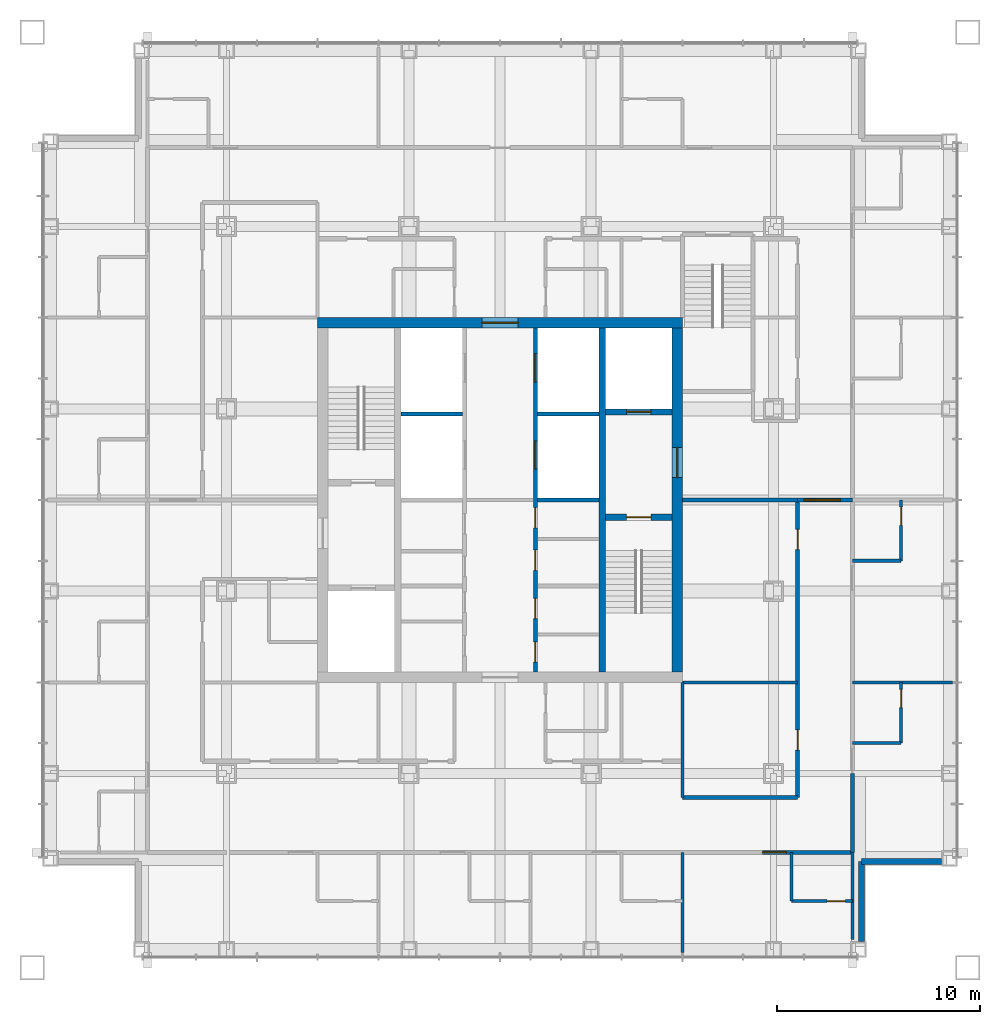
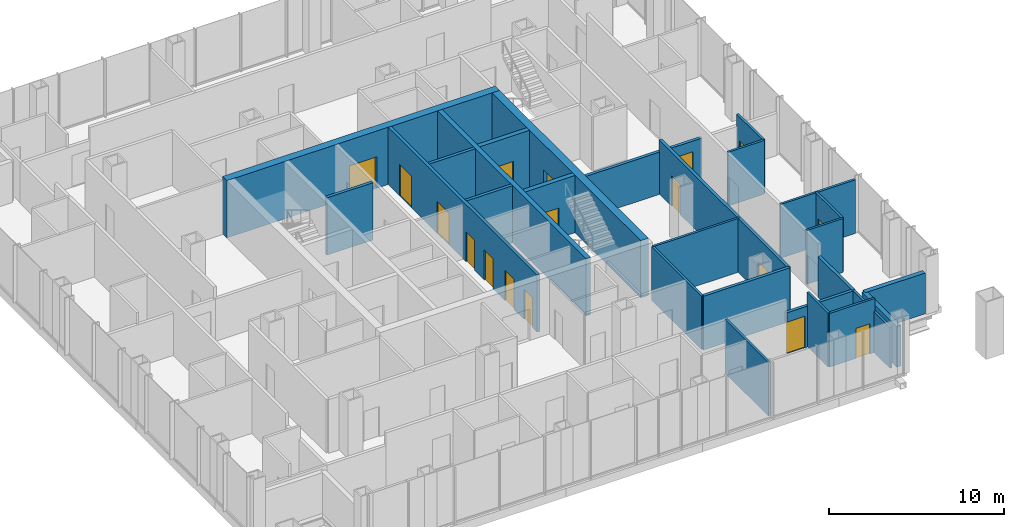
# One storey, part 8 of 11: 28 walls, 17 doors, 17 openings.
"""IFC4 building model written with IfcOpenShell, lengths in metres."""

import ifcopenshell
import ifcopenshell.guid

model = None  # the IFC model being written
_history = None  # IfcOwnerHistory: only IFC2X3 demands one
_inside = {}  # id of a spatial element -> (the spatial element, [elements in it])
_under = {}  # id of a project, library or spatial element -> (it, [spatial elements below it])
_declared = {}  # id of a project -> (the project, [libraries it declares])
_typed = {}  # id of a type object -> (the type object, [elements of that type])
_made_of = {}  # id of a material, layer set ... -> (it, [elements and type objects made of it])


def new_model(schema):
    """Start an empty IFC model of exactly this schema.

    Asked for "IFC4X3", IfcOpenShell would pick the latest addendum, in which some entities
    have other attributes; the version numbers below select the first issue.
    IFC2X3 requires an IfcOwnerHistory on every rooted entity: one is made here for all.
    """
    global model, _history
    if schema == "IFC4X3":
        model = ifcopenshell.file(schema_version=(4, 3, 0, 0))
    else:
        model = ifcopenshell.file(schema=schema)
    _inside.clear()
    _under.clear()
    _declared.clear()
    _typed.clear()
    _made_of.clear()
    _history = None
    if model.schema == "IFC2X3":
        org = make("IfcOrganization", Name="unknown")
        user = make(
            "IfcPersonAndOrganization",
            ThePerson=make("IfcPerson", FamilyName="unknown"),
            TheOrganization=org,
        )
        app = make(
            "IfcApplication",
            ApplicationDeveloper=org,
            Version="unknown",
            ApplicationFullName="unknown",
            ApplicationIdentifier="unknown",
        )
        _history = make(
            "IfcOwnerHistory",
            OwningUser=user,
            OwningApplication=app,
            ChangeAction="ADDED",
            CreationDate=0,
        )
    return model


def make(cls, **values):
    """One entity of the class cls with the attributes given. An attribute that is None is left unset."""
    return model.create_entity(
        cls, **{name: value for name, value in values.items() if value is not None}
    )


def rooted(cls, **values):
    """An entity with a GlobalId (a new one), such as an element, a storey or a relation."""
    return make(cls, GlobalId=ifcopenshell.guid.new(), OwnerHistory=_history, **values)


def si_unit(unit_type, name, prefix=None):
    """IfcSIUnit, for example si_unit("LENGTHUNIT", "METRE", prefix="MILLI")."""
    return make("IfcSIUnit", UnitType=unit_type, Prefix=prefix, Name=name)


def assignment(units):
    """IfcUnitAssignment: the units of a project."""
    return None if units is None else make("IfcUnitAssignment", Units=units)


def point(xyz):
    """IfcCartesianPoint."""
    return None if xyz is None else make("IfcCartesianPoint", Coordinates=xyz)


def direction(xyz):
    """IfcDirection."""
    return None if xyz is None else make("IfcDirection", DirectionRatios=xyz)


def frame(location, z_axis=None, x_axis=None):
    """IfcAxis2Placement3D, a coordinate frame: its origin and axes. An axis left out is left unset."""
    return make(
        "IfcAxis2Placement3D",
        Location=point(location),
        Axis=direction(z_axis),
        RefDirection=direction(x_axis),
    )


def frame_2d(location, x_axis=None):
    """IfcAxis2Placement2D, a coordinate frame in the plane: its origin and x axis."""
    return make(
        "IfcAxis2Placement2D", Location=point(location), RefDirection=direction(x_axis)
    )


def origin():
    """The frame at (0, 0, 0) with its axes left unset."""
    return frame((0.0, 0.0, 0.0))


def place(relative_to, where):
    """IfcLocalPlacement: puts the frame where relative to a parent placement (None: the world)."""
    return make(
        "IfcLocalPlacement", PlacementRelTo=relative_to, RelativePlacement=where
    )


def context(
    kind, dimensions, precision=None, world=None, true_north=None, identifier=None
):
    """IfcGeometricRepresentationContext, for example the 3D "Model" context."""
    return make(
        "IfcGeometricRepresentationContext",
        ContextIdentifier=identifier,
        ContextType=kind,
        CoordinateSpaceDimension=dimensions,
        Precision=precision,
        WorldCoordinateSystem=world,
        TrueNorth=true_north,
    )


def subcontext(parent, identifier, kind, view, scale=None):
    """IfcGeometricRepresentationSubContext, for example "Body" below "Model"."""
    return make(
        "IfcGeometricRepresentationSubContext",
        ContextIdentifier=identifier,
        ContextType=kind,
        ParentContext=parent,
        TargetScale=scale,
        TargetView=view,
    )


def project(units=None, contexts=None):
    """IfcProject with its units and contexts."""
    return rooted(
        "IfcProject",
        Name="project",
        RepresentationContexts=contexts,
        UnitsInContext=assignment(units),
    )


def spatial(cls, under=None, at=None, **own):
    """A site, building, storey or space (cls), placed at a placement, below another one or the project."""
    s = rooted(cls, ObjectPlacement=at, **own)
    if under is not None:
        _under.setdefault(under.id(), (under, []))[1].append(s)
    return s


def profile(cls, at=None, kind="AREA", **sizes):
    """A parametric profile (cls). Its sizes go by their IFC names, for example OverallWidth=200.0."""
    return make(cls, ProfileType=kind, Position=at, **sizes)


def rectangle(**sizes):
    """IfcRectangleProfileDef."""
    return profile("IfcRectangleProfileDef", **sizes)


def extrude(swept, where, along, depth):
    """IfcExtrudedAreaSolid: the profile swept, set in the frame where, extruded along a direction by depth."""
    return make(
        "IfcExtrudedAreaSolid",
        SweptArea=swept,
        Position=where,
        ExtrudedDirection=direction(along),
        Depth=depth,
    )


def shape(context_of_items, identifier, shape_type, items):
    """IfcShapeRepresentation: the items that make up one representation, for example the "Body"."""
    return make(
        "IfcShapeRepresentation",
        ContextOfItems=context_of_items,
        RepresentationIdentifier=identifier,
        RepresentationType=shape_type,
        Items=items,
    )


def material(Name=None, Category=None):
    """IfcMaterial."""
    return make("IfcMaterial", Name=Name, Category=Category)


def layer(
    of_material, thickness, ventilated=None, Name=None, Category=None, Priority=None
):
    """IfcMaterialLayer: one layer of a wall or slab, of a material (None: an air gap)."""
    return make(
        "IfcMaterialLayer",
        Material=of_material,
        LayerThickness=thickness,
        IsVentilated=ventilated,
        Name=Name,
        Category=Category,
        Priority=Priority,
    )


def layer_set(layers, Name=None):
    """IfcMaterialLayerSet."""
    return make("IfcMaterialLayerSet", MaterialLayers=layers, LayerSetName=Name)


def made_of(thing, what):
    """Note that an element or type object is made of a material, layer set ...; save() writes the relation."""
    if what is not None:
        _made_of.setdefault(what.id(), (what, []))[1].append(thing)
    return thing


def type_object(cls, material=None, **own):
    """A type object (cls), such as IfcWallType, which elements share."""
    return made_of(rooted(cls, **own), material)


def element(
    cls,
    number,
    at=None,
    inside=None,
    cuts=None,
    type_object=None,
    material=None,
    context=None,
    identifier="Body",
    shape_type=None,
    held_by="IfcProductDefinitionShape",
    body=None,
    shapes=None,
    **own,
):
    """One element of the class cls, such as IfcWall. Its Tag is "e" and its number.

    at: its placement. inside: the storey or other place that contains it. cuts: it is an
    opening in that element (IfcRelVoidsElement). A single representation is given by context,
    identifier, shape_type and body (its items); several are given by shapes. held_by: the class
    of the entity that holds the representations. save() writes the other relations.
    """
    e = rooted(cls, Tag="e%d" % number, ObjectPlacement=at, **own)
    if body is not None:
        shapes = [shape(context, identifier, shape_type, body)]
    if shapes is not None:
        e.Representation = make(held_by, Representations=shapes)
    if inside is not None:
        _inside.setdefault(inside.id(), (inside, []))[1].append(e)
    if cuts is not None:
        rooted(
            "IfcRelVoidsElement", RelatingBuildingElement=cuts, RelatedOpeningElement=e
        )
    if type_object is not None:
        _typed.setdefault(type_object.id(), (type_object, []))[1].append(e)
    return made_of(e, material)


def fill(opening, filler):
    """IfcRelFillsElement: the door or window that sits in an opening."""
    return rooted(
        "IfcRelFillsElement",
        RelatingOpeningElement=opening,
        RelatedBuildingElement=filler,
    )


def aggregate(whole, parts):
    """IfcRelAggregates: a whole, such as a stair, and the parts it consists of."""
    return rooted("IfcRelAggregates", RelatingObject=whole, RelatedObjects=parts)


def save(model, path):
    """Write the relations noted so far, then the file.

    IfcRelAggregates (storeys below a building ...), IfcRelContainedInSpatialStructure (elements
    in a storey), IfcRelDefinesByType, IfcRelAssociatesMaterial and IfcRelDeclares: one each for
    every whole, place, type object, material and project.
    """
    for whole, parts in _under.values():
        aggregate(whole, parts)
    for where, things in _inside.values():
        rooted(
            "IfcRelContainedInSpatialStructure",
            RelatedElements=things,
            RelatingStructure=where,
        )
    for kind, things in _typed.values():
        rooted("IfcRelDefinesByType", RelatedObjects=things, RelatingType=kind)
    for what, things in _made_of.values():
        rooted("IfcRelAssociatesMaterial", RelatedObjects=things, RelatingMaterial=what)
    for by, libraries in _declared.values():
        rooted("IfcRelDeclares", RelatingContext=by, RelatedDefinitions=libraries)
    model.write(path)


model = new_model("IFC4")

# Units and contexts
model_context = context("Model", 3, precision=1e-05, world=origin(), true_north=direction((0.0, 1.0)))
body_context = subcontext(model_context, "Body", "Model", "MODEL_VIEW")
ifc_project = project(units=[si_unit("LENGTHUNIT", "METRE"), si_unit("AREAUNIT", "SQUARE_METRE"), si_unit("VOLUMEUNIT", "CUBIC_METRE"), si_unit("PLANEANGLEUNIT", "RADIAN"), si_unit("MASSUNIT", "GRAM", prefix="KILO")], contexts=[model_context])

# Site, building, storey
site_placement = place(None, origin())
site = spatial("IfcSite", under=ifc_project, at=site_placement, CompositionType="ELEMENT")
building_placement = place(site_placement, origin())
building = spatial("IfcBuilding", under=site, at=building_placement, Name="Malebo Sky Hospital", CompositionType="ELEMENT")
storey_placement = place(building_placement, frame((0.0, 0.0, 205.0)))
storey = spatial("IfcBuildingStorey", under=building, at=storey_placement, Name="L49", CompositionType="ELEMENT", Elevation=205.0)

# Wall, openings, doors
ifc_material_1 = material(Name="Concrete C80/95", Category="concrete")
ifc_layer_1 = layer(ifc_material_1, 0.199951171875)
ifc_layer_set_1 = layer_set([ifc_layer_1], Name="CORE INNER WALL 200")
wall_type_1 = type_object("IfcWallType", Name="CORE INNER WALL 200", PredefinedType="SHEAR", material=ifc_layer_set_1)
wall_1_placement = place(storey_placement, frame((61.75, 53.5, 0.0), z_axis=(0.0, 0.0, 1.0), x_axis=(0.0, 1.0, 0.0)))
wall_1 = element("IfcWall", 1, at=wall_1_placement, inside=storey, type_object=wall_type_1, Name="Core wall LE L49", PredefinedType="SHEAR", context=body_context, shape_type="SweptSolid", body=[
    extrude(rectangle(XDim=17.0, YDim=0.199951171875, at=frame_2d((8.5, 0.0))), origin(), (0.0, 0.0, 1.0), 4.0),
])
opening_1_placement = place(wall_1_placement, frame((0.49609375, 0.0, 0.0)))
opening_1 = element("IfcOpeningElement", 2, at=opening_1_placement, cuts=wall_1, Name="Opening D17", PredefinedType="OPENING", context=body_context, shape_type="SweptSolid", body=[
    extrude(rectangle(XDim=1.0, YDim=2.10009765625, at=frame_2d((0.5, 1.050048828125))), frame((0.0, 0.10986328125, 0.0), z_axis=(0.0, -1.0, 0.0), x_axis=(1.0, 0.0, 0.0)), (0.0, 0.0, 1.0), 0.219970703125),
])
opening_2_placement = place(wall_1_placement, frame((2.64599609375, 0.0, 0.0)))
opening_2 = element("IfcOpeningElement", 3, at=opening_2_placement, cuts=wall_1, Name="Opening D17", PredefinedType="OPENING", context=body_context, shape_type="SweptSolid", body=[
    extrude(rectangle(XDim=1.0, YDim=2.10009765625, at=frame_2d((0.5, 1.050048828125))), frame((0.0, 0.10986328125, 0.0), z_axis=(0.0, -1.0, 0.0), x_axis=(1.0, 0.0, 0.0)), (0.0, 0.0, 1.0), 0.219970703125),
])
opening_3_placement = place(wall_1_placement, frame((5.026611328125, 0.0, 0.0)))
opening_3 = element("IfcOpeningElement", 4, at=opening_3_placement, cuts=wall_1, Name="Opening D17", PredefinedType="OPENING", context=body_context, shape_type="SweptSolid", body=[
    extrude(rectangle(XDim=1.0, YDim=2.10009765625, at=frame_2d((0.5, 1.050048828125))), frame((0.0, 0.10986328125, 0.0), z_axis=(0.0, -1.0, 0.0), x_axis=(1.0, 0.0, 0.0)), (0.0, 0.0, 1.0), 0.219970703125),
])
opening_4_placement = place(wall_1_placement, frame((7.12646484375, 0.0, 0.0)))
opening_4 = element("IfcOpeningElement", 5, at=opening_4_placement, cuts=wall_1, Name="Opening D17", PredefinedType="OPENING", context=body_context, shape_type="SweptSolid", body=[
    extrude(rectangle(XDim=1.0, YDim=2.10009765625, at=frame_2d((0.5, 1.050048828125))), frame((0.0, 0.10986328125, 0.0), z_axis=(0.0, -1.0, 0.0), x_axis=(1.0, 0.0, 0.0)), (0.0, 0.0, 1.0), 0.219970703125),
])
opening_5_placement = place(wall_1_placement, frame((10.02490234375, 0.0, 0.0)))
opening_5 = element("IfcOpeningElement", 6, at=opening_5_placement, cuts=wall_1, Name="Opening LD1", PredefinedType="OPENING", context=body_context, shape_type="SweptSolid", body=[
    extrude(rectangle(XDim=1.39990234375, YDim=2.199951171875, at=frame_2d((0.699951171875, 1.10009765625))), frame((0.0, 0.10986328125, 0.0), z_axis=(0.0, -1.0, 0.0), x_axis=(1.0, 0.0, 0.0)), (0.0, 0.0, 1.0), 0.219970703125),
])
opening_6_placement = place(wall_1_placement, frame((14.324951171875, 0.0, 0.0)))
opening_6 = element("IfcOpeningElement", 7, at=opening_6_placement, cuts=wall_1, Name="Opening LD1", PredefinedType="OPENING", context=body_context, shape_type="SweptSolid", body=[
    extrude(rectangle(XDim=1.39990234375, YDim=2.199951171875, at=frame_2d((0.699951171875, 1.10009765625))), frame((0.0, 0.10986328125, 0.0), z_axis=(0.0, -1.0, 0.0), x_axis=(1.0, 0.0, 0.0)), (0.0, 0.0, 1.0), 0.219970703125),
])
ifc_material_2 = material(Name="Hardwood-faced door leaf in steel frame", Category="steel")
door_type_1 = type_object("IfcDoorType", Name="FIRE DOOR 1000", OperationType="SINGLE_SWING_LEFT", PredefinedType="DOOR", material=ifc_material_2)
door_1_placement = place(opening_1_placement, origin())
door_1 = element("IfcDoor", 8, at=door_1_placement, inside=storey, type_object=door_type_1, Name="Mattress store door", OperationType="SINGLE_SWING_RIGHT", OverallHeight=2.10009765625, OverallWidth=1.0, PredefinedType="DOOR", context=body_context, shape_type="SweptSolid", body=[
    extrude(rectangle(XDim=1.0, YDim=2.10009765625, at=frame_2d((0.5, 1.050048828125))), frame((0.0, 0.02490234375, 0.0), z_axis=(0.0, -1.0, 0.0), x_axis=(1.0, 0.0, 0.0)), (0.0, 0.0, 1.0), 0.050048828125),
])
fill(opening_1, door_1)
door_2_placement = place(opening_2_placement, origin())
door_2 = element("IfcDoor", 9, at=door_2_placement, inside=storey, type_object=door_type_1, Name="Cleaning equipment store door", OperationType="SINGLE_SWING_RIGHT", OverallHeight=2.10009765625, OverallWidth=1.0, PredefinedType="DOOR", context=body_context, shape_type="SweptSolid", body=[
    extrude(rectangle(XDim=1.0, YDim=2.10009765625, at=frame_2d((0.5, 1.050048828125))), frame((0.0, 0.02490234375, 0.0), z_axis=(0.0, -1.0, 0.0), x_axis=(1.0, 0.0, 0.0)), (0.0, 0.0, 1.0), 0.050048828125),
])
fill(opening_2, door_2)
door_3_placement = place(opening_3_placement, origin())
door_3 = element("IfcDoor", 10, at=door_3_placement, inside=storey, type_object=door_type_1, Name="Archive store door", OperationType="SINGLE_SWING_RIGHT", OverallHeight=2.10009765625, OverallWidth=1.0, PredefinedType="DOOR", context=body_context, shape_type="SweptSolid", body=[
    extrude(rectangle(XDim=1.0, YDim=2.10009765625, at=frame_2d((0.5, 1.050048828125))), frame((0.0, 0.02490234375, 0.0), z_axis=(0.0, -1.0, 0.0), x_axis=(1.0, 0.0, 0.0)), (0.0, 0.0, 1.0), 0.050048828125),
])
fill(opening_3, door_3)
door_4_placement = place(opening_4_placement, origin())
door_4 = element("IfcDoor", 11, at=door_4_placement, inside=storey, type_object=door_type_1, Name="General store door", OperationType="SINGLE_SWING_RIGHT", OverallHeight=2.10009765625, OverallWidth=1.0, PredefinedType="DOOR", context=body_context, shape_type="SweptSolid", body=[
    extrude(rectangle(XDim=1.0, YDim=2.10009765625, at=frame_2d((0.5, 1.050048828125))), frame((0.0, 0.02490234375, 0.0), z_axis=(0.0, -1.0, 0.0), x_axis=(1.0, 0.0, 0.0)), (0.0, 0.0, 1.0), 0.050048828125),
])
fill(opening_4, door_4)
ifc_material_3 = material(Name="Stainless steel sliding landing door", Category="steel")
door_type_2 = type_object("IfcDoorType", Name="LIFT LANDING DOOR 1400", OperationType="SLIDING_TO_LEFT", PredefinedType="DOOR", material=ifc_material_3)
door_5_placement = place(opening_5_placement, origin())
door_5 = element("IfcDoor", 12, at=door_5_placement, inside=storey, type_object=door_type_2, Name="Lift E3 landing door", OperationType="SLIDING_TO_LEFT", OverallHeight=2.199951171875, OverallWidth=1.39990234375, PredefinedType="DOOR", context=body_context, shape_type="SweptSolid", body=[
    extrude(rectangle(XDim=1.39990234375, YDim=2.199951171875, at=frame_2d((0.699951171875, 1.10009765625))), frame((0.0, 0.02490234375, 0.0), z_axis=(0.0, -1.0, 0.0), x_axis=(1.0, 0.0, 0.0)), (0.0, 0.0, 1.0), 0.050048828125),
])
fill(opening_5, door_5)
door_6_placement = place(opening_6_placement, origin())
door_6 = element("IfcDoor", 13, at=door_6_placement, inside=storey, type_object=door_type_2, Name="Lift E4 landing door", OperationType="SLIDING_TO_LEFT", OverallHeight=2.199951171875, OverallWidth=1.39990234375, PredefinedType="DOOR", context=body_context, shape_type="SweptSolid", body=[
    extrude(rectangle(XDim=1.39990234375, YDim=2.199951171875, at=frame_2d((0.699951171875, 1.10009765625))), frame((0.0, 0.02490234375, 0.0), z_axis=(0.0, -1.0, 0.0), x_axis=(1.0, 0.0, 0.0)), (0.0, 0.0, 1.0), 0.050048828125),
])
fill(opening_6, door_6)

# Walls
for number, where, z_axis, x_axis, name in (
    (14, (61.85009765625, 62.0, 0.0), (0.0, 0.0, 1.0), (1.0, 0.0, 0.0), "Core wall SE1 L49"),
    (15, (55.10009765625, 66.25, 0.0), (0.0, 0.0, 1.0), (1.0, 0.0, 0.0), "Core wall SW2 L49"),
    (16, (61.85009765625, 66.25, 0.0), (0.0, 0.0, 1.0), (1.0, 0.0, 0.0), "Core wall SE2 L49"),
):
    element("IfcWall", number, at=place(storey_placement, frame(where, z_axis=z_axis, x_axis=x_axis)), inside=storey, type_object=wall_type_1, Name=name, PredefinedType="SHEAR", context=body_context, shape_type="SweptSolid", body=[
        extrude(rectangle(XDim=3.0498046875, YDim=0.199951171875, at=frame_2d((1.52490234375, 0.0))), origin(), (0.0, 0.0, 1.0), 4.0),
    ])
ifc_layer_2 = layer(ifc_material_1, 0.300048828125)
ifc_layer_set_2 = layer_set([ifc_layer_2], Name="CORE INNER WALL 300")
wall_type_2 = type_object("IfcWallType", Name="CORE INNER WALL 300", PredefinedType="SHEAR", material=ifc_layer_set_2)
wall_2_placement = place(storey_placement, frame((65.050048828125, 53.5, 0.0), z_axis=(0.0, 0.0, 1.0), x_axis=(0.0, 1.0, 0.0)))
element("IfcWall", 17, at=wall_2_placement, inside=storey, type_object=wall_type_2, Name="Core wall XE L49", PredefinedType="SHEAR", context=body_context, shape_type="SweptSolid", body=[
    extrude(rectangle(XDim=17.0, YDim=0.300048828125, at=frame_2d((8.5, 0.0))), origin(), (0.0, 0.0, 1.0), 4.0),
])

# Wall, opening, door
wall_3_placement = place(storey_placement, frame((65.199951171875, 61.14990234375, 0.0), z_axis=(0.0, 0.0, 1.0), x_axis=(1.0, 0.0, 0.0)))
wall_3 = element("IfcWall", 18, at=wall_3_placement, inside=storey, type_object=wall_type_2, Name="Core wall E1 L49", PredefinedType="SHEAR", context=body_context, shape_type="SweptSolid", body=[
    extrude(rectangle(XDim=3.300048828125, YDim=0.300048828125, at=frame_2d((1.64990234375, 0.0))), origin(), (0.0, 0.0, 1.0), 4.0),
])
opening_7_placement = place(wall_3_placement, frame((1.050048828125, 0.0, 0.0)))
opening_7 = element("IfcOpeningElement", 19, at=opening_7_placement, cuts=wall_3, Name="Opening D08", PredefinedType="OPENING", context=body_context, shape_type="SweptSolid", body=[
    extrude(rectangle(XDim=1.199951171875, YDim=2.10009765625, at=frame_2d((0.60009765625, 1.050048828125))), frame((0.0, 0.159912109375, 0.0), z_axis=(0.0, -1.0, 0.0), x_axis=(1.0, 0.0, 0.0)), (0.0, 0.0, 1.0), 0.320068359375),
])
door_type_3 = type_object("IfcDoorType", Name="STAIR DOOR 1200", OperationType="SINGLE_SWING_LEFT", PredefinedType="DOOR", material=ifc_material_2)
door_7_placement = place(opening_7_placement, origin())
door_7 = element("IfcDoor", 20, at=door_7_placement, inside=storey, type_object=door_type_3, Name="Stair S2 door", OperationType="SINGLE_SWING_LEFT", OverallHeight=2.10009765625, OverallWidth=1.199951171875, PredefinedType="DOOR", context=body_context, shape_type="SweptSolid", body=[
    extrude(rectangle(XDim=1.199951171875, YDim=2.10009765625, at=frame_2d((0.60009765625, 1.050048828125))), frame((0.0, 0.02490234375, 0.0), z_axis=(0.0, -1.0, 0.0), x_axis=(1.0, 0.0, 0.0)), (0.0, 0.0, 1.0), 0.050048828125),
])
fill(opening_7, door_7)

wall_4_placement = place(storey_placement, frame((65.199951171875, 66.35009765625, 0.0), z_axis=(0.0, 0.0, 1.0), x_axis=(1.0, 0.0, 0.0)))
wall_4 = element("IfcWall", 21, at=wall_4_placement, inside=storey, type_object=wall_type_2, Name="Core wall E2 L49", PredefinedType="SHEAR", context=body_context, shape_type="SweptSolid", body=[
    extrude(rectangle(XDim=3.300048828125, YDim=0.300048828125, at=frame_2d((1.64990234375, 0.0))), origin(), (0.0, 0.0, 1.0), 4.0),
])
opening_8_placement = place(wall_4_placement, frame((1.050048828125, 0.0, 0.0)))
opening_8 = element("IfcOpeningElement", 22, at=opening_8_placement, cuts=wall_4, Name="Opening LD2", PredefinedType="OPENING", context=body_context, shape_type="SweptSolid", body=[
    extrude(rectangle(XDim=1.199951171875, YDim=2.199951171875, at=frame_2d((0.60009765625, 1.10009765625))), frame((0.0, 0.159912109375, 0.0), z_axis=(0.0, -1.0, 0.0), x_axis=(1.0, 0.0, 0.0)), (0.0, 0.0, 1.0), 0.320068359375),
])
door_type_4 = type_object("IfcDoorType", Name="FIRE-FIGHTING LIFT LANDING DOOR 1200", OperationType="SLIDING_TO_LEFT", PredefinedType="DOOR", material=ifc_material_3)
door_8_placement = place(opening_8_placement, origin())
door_8 = element("IfcDoor", 23, at=door_8_placement, inside=storey, type_object=door_type_4, Name="Lift FL2 landing door", OperationType="SLIDING_TO_LEFT", OverallHeight=2.199951171875, OverallWidth=1.199951171875, PredefinedType="DOOR", context=body_context, shape_type="SweptSolid", body=[
    extrude(rectangle(XDim=1.199951171875, YDim=2.199951171875, at=frame_2d((0.60009765625, 1.10009765625))), frame((0.0, 0.02490234375, 0.0), z_axis=(0.0, -1.0, 0.0), x_axis=(1.0, 0.0, 0.0)), (0.0, 0.0, 1.0), 0.050048828125),
])
fill(opening_8, door_8)

ifc_layer_3 = layer(ifc_material_1, 0.5)
ifc_layer_set_3 = layer_set([ifc_layer_3], Name="CORE WALL 500")
wall_type_3 = type_object("IfcWallType", Name="CORE WALL 500", PredefinedType="SHEAR", material=ifc_layer_set_3)
wall_5_placement = place(storey_placement, frame((51.0, 70.75, 0.0), z_axis=(0.0, 0.0, 1.0), x_axis=(1.0, 0.0, 0.0)))
wall_5 = element("IfcWall", 24, at=wall_5_placement, inside=storey, type_object=wall_type_3, Name="Core wall N L49", PredefinedType="SHEAR", context=body_context, shape_type="SweptSolid", body=[
    extrude(rectangle(XDim=18.0, YDim=0.5, at=frame_2d((9.0, 0.0))), origin(), (0.0, 0.0, 1.0), 4.0),
])
opening_9_placement = place(wall_5_placement, frame((8.10009765625, 0.0, 0.0)))
opening_9 = element("IfcOpeningElement", 25, at=opening_9_placement, cuts=wall_5, Name="Opening D06", PredefinedType="OPENING", context=body_context, shape_type="SweptSolid", body=[
    extrude(rectangle(XDim=1.800048828125, YDim=2.199951171875, at=frame_2d((0.89990234375, 1.10009765625))), frame((0.0, 0.260009765625, 0.0), z_axis=(0.0, -1.0, 0.0), x_axis=(1.0, 0.0, 0.0)), (0.0, 0.0, 1.0), 0.52001953125),
])
door_type_5 = type_object("IfcDoorType", Name="LOBBY DOOR PAIR 1800", OperationType="DOUBLE_DOOR_SINGLE_SWING", PredefinedType="DOOR", material=ifc_material_2)
door_9_placement = place(opening_9_placement, origin())
door_9 = element("IfcDoor", 26, at=door_9_placement, inside=storey, type_object=door_type_5, Name="Lift lobby door north", OperationType="DOUBLE_DOOR_SINGLE_SWING", OverallHeight=2.199951171875, OverallWidth=1.800048828125, PredefinedType="DOOR", context=body_context, shape_type="SweptSolid", body=[
    extrude(rectangle(XDim=1.800048828125, YDim=2.199951171875, at=frame_2d((0.89990234375, 1.10009765625))), frame((0.0, 0.02490234375, 0.0), z_axis=(0.0, -1.0, 0.0), x_axis=(1.0, 0.0, 0.0)), (0.0, 0.0, 1.0), 0.050048828125),
])
fill(opening_9, door_9)

wall_6_placement = place(storey_placement, frame((68.75, 53.5, 0.0), z_axis=(0.0, 0.0, 1.0), x_axis=(0.0, 1.0, 0.0)))
wall_6 = element("IfcWall", 27, at=wall_6_placement, inside=storey, type_object=wall_type_3, Name="Core wall E L49", PredefinedType="SHEAR", context=body_context, shape_type="SweptSolid", body=[
    extrude(rectangle(XDim=17.0, YDim=0.5, at=frame_2d((8.5, 0.0))), origin(), (0.0, 0.0, 1.0), 4.0),
])
opening_10_placement = place(wall_6_placement, frame((9.60009765625, 0.0, 0.0)))
opening_10 = element("IfcOpeningElement", 28, at=opening_10_placement, cuts=wall_6, Name="Opening D07", PredefinedType="OPENING", context=body_context, shape_type="SweptSolid", body=[
    extrude(rectangle(XDim=1.5, YDim=2.199951171875, at=frame_2d((0.75, 1.10009765625))), frame((0.0, 0.260009765625, 0.0), z_axis=(0.0, -1.0, 0.0), x_axis=(1.0, 0.0, 0.0)), (0.0, 0.0, 1.0), 0.52001953125),
])
door_type_6 = type_object("IfcDoorType", Name="FIRE-FIGHTING LOBBY DOOR PAIR 1500", OperationType="DOUBLE_DOOR_SINGLE_SWING", PredefinedType="DOOR", material=ifc_material_2)
door_10_placement = place(opening_10_placement, origin())
door_10 = element("IfcDoor", 29, at=door_10_placement, inside=storey, type_object=door_type_6, Name="Fire-fighting lobby door east", OperationType="DOUBLE_DOOR_SINGLE_SWING", OverallHeight=2.199951171875, OverallWidth=1.5, PredefinedType="DOOR", context=body_context, shape_type="SweptSolid", body=[
    extrude(rectangle(XDim=1.5, YDim=2.199951171875, at=frame_2d((0.75, 1.10009765625))), frame((0.0, 0.02490234375, 0.0), z_axis=(0.0, -1.0, 0.0), x_axis=(1.0, 0.0, 0.0)), (0.0, 0.0, 1.0), 0.050048828125),
])
fill(opening_10, door_10)

ifc_material_4 = material(Name="Gypsum board on steel studs", Category="steel")
ifc_layer_4 = layer(ifc_material_4, 0.199951171875)
ifc_layer_set_4 = layer_set([ifc_layer_4], Name="CORRIDOR WALL 200")
wall_type_4 = type_object("IfcWallType", Name="CORRIDOR WALL 200", PredefinedType="PARTITIONING", material=ifc_layer_set_4)
wall_7_placement = place(storey_placement, frame((77.39990234375, 44.60009765625, 0.0), z_axis=(0.0, 0.0, 1.0), x_axis=(-1.0, 0.0, 0.0)))
wall_7 = element("IfcWall", 30, at=wall_7_placement, inside=storey, type_object=wall_type_4, Name="Corridor Wall 200 SCO", PredefinedType="PARTITIONING", context=body_context, shape_type="SweptSolid", body=[
    extrude(rectangle(XDim=4.449951171875, YDim=0.199951171875, at=frame_2d((2.22509765625, 0.0))), origin(), (0.0, 0.0, 1.0), 2.85009765625),
])
opening_11_placement = place(wall_7_placement, frame((3.25, 0.0, 0.0)))
opening_11 = element("IfcOpeningElement", 31, at=opening_11_placement, cuts=wall_7, Name="Opening D01", PredefinedType="OPENING", context=body_context, shape_type="SweptSolid", body=[
    extrude(rectangle(XDim=1.199951171875, YDim=2.199951171875, at=frame_2d((0.60009765625, 1.10009765625))), frame((0.0, 0.10986328125, 0.0), z_axis=(0.0, -1.0, 0.0), x_axis=(1.0, 0.0, 0.0)), (0.0, 0.0, 1.0), 0.219970703125),
])
door_type_7 = type_object("IfcDoorType", Name="BED DOOR 1200", OperationType="SINGLE_SWING_LEFT", PredefinedType="DOOR", material=ifc_material_2)
door_11_placement = place(opening_11_placement, origin())
door_11 = element("IfcDoor", 32, at=door_11_placement, inside=storey, type_object=door_type_7, Name="Birthing room door", OperationType="SINGLE_SWING_LEFT", OverallHeight=2.199951171875, OverallWidth=1.199951171875, PredefinedType="DOOR", context=body_context, shape_type="SweptSolid", body=[
    extrude(rectangle(XDim=1.199951171875, YDim=2.199951171875, at=frame_2d((0.60009765625, 1.10009765625))), frame((0.0, 0.02490234375, 0.0), z_axis=(0.0, -1.0, 0.0), x_axis=(1.0, 0.0, 0.0)), (0.0, 0.0, 1.0), 0.050048828125),
])
fill(opening_11, door_11)

# Walls
wall_8_placement = place(storey_placement, frame((74.699951171875, 47.300048828125, 0.0), z_axis=(0.0, 0.0, 1.0), x_axis=(-1.0, 0.0, 0.0)))
element("IfcWall", 33, at=wall_8_placement, inside=storey, type_object=wall_type_4, Name="Corridor Wall 200 SCIK", PredefinedType="PARTITIONING", context=body_context, shape_type="SweptSolid", body=[
    extrude(rectangle(XDim=5.699951171875, YDim=0.199951171875, at=frame_2d((2.85009765625, 0.0))), origin(), (0.0, 0.0, 1.0), 3.75),
])
wall_9_placement = place(storey_placement, frame((77.39990234375, 48.5, 0.0), z_axis=(0.0, 0.0, 1.0), x_axis=(0.0, -1.0, 0.0)))
element("IfcWall", 34, at=wall_9_placement, inside=storey, type_object=wall_type_4, Name="Corridor Wall 200 ECO", PredefinedType="PARTITIONING", context=body_context, shape_type="SweptSolid", body=[
    extrude(rectangle(XDim=3.89990234375, YDim=0.199951171875, at=frame_2d((1.949951171875, 0.0))), origin(), (0.0, 0.0, 1.0), 2.85009765625),
])

# Wall, openings, doors
wall_10_placement = place(storey_placement, frame((74.699951171875, 62.0, 0.0), z_axis=(0.0, 0.0, 1.0), x_axis=(0.0, -1.0, 0.0)))
wall_10 = element("IfcWall", 35, at=wall_10_placement, inside=storey, type_object=wall_type_4, Name="Corridor Wall 200 ECI2", PredefinedType="PARTITIONING", context=body_context, shape_type="SweptSolid", body=[
    extrude(rectangle(XDim=14.699951171875, YDim=0.199951171875, at=frame_2d((7.35009765625, 0.0))), origin(), (0.0, 0.0, 1.0), 3.75),
])
opening_12_placement = place(wall_10_placement, frame((1.449951171875, 0.0, 0.0)))
opening_12 = element("IfcOpeningElement", 36, at=opening_12_placement, cuts=wall_10, Name="Opening D03", PredefinedType="OPENING", context=body_context, shape_type="SweptSolid", body=[
    extrude(rectangle(XDim=1.0, YDim=2.10009765625, at=frame_2d((0.5, 1.050048828125))), frame((0.0, 0.10986328125, 0.0), z_axis=(0.0, -1.0, 0.0), x_axis=(1.0, 0.0, 0.0)), (0.0, 0.0, 1.0), 0.219970703125),
])
opening_13_placement = place(wall_10_placement, frame((11.35009765625, 0.0, 0.0)))
opening_13 = element("IfcOpeningElement", 37, at=opening_13_placement, cuts=wall_10, Name="Opening D03", PredefinedType="OPENING", context=body_context, shape_type="SweptSolid", body=[
    extrude(rectangle(XDim=1.0, YDim=2.10009765625, at=frame_2d((0.5, 1.050048828125))), frame((0.0, 0.10986328125, 0.0), z_axis=(0.0, -1.0, 0.0), x_axis=(1.0, 0.0, 0.0)), (0.0, 0.0, 1.0), 0.219970703125),
])
door_type_8 = type_object("IfcDoorType", Name="ROOM DOOR 1000", OperationType="SINGLE_SWING_LEFT", PredefinedType="DOOR", material=ifc_material_2)
door_12_placement = place(opening_12_placement, origin())
door_12 = element("IfcDoor", 38, at=door_12_placement, inside=storey, type_object=door_type_8, Name="Staff rest room door", OperationType="SINGLE_SWING_LEFT", OverallHeight=2.10009765625, OverallWidth=1.0, PredefinedType="DOOR", context=body_context, shape_type="SweptSolid", body=[
    extrude(rectangle(XDim=1.0, YDim=2.10009765625, at=frame_2d((0.5, 1.050048828125))), frame((0.0, 0.02490234375, 0.0), z_axis=(0.0, -1.0, 0.0), x_axis=(1.0, 0.0, 0.0)), (0.0, 0.0, 1.0), 0.050048828125),
])
fill(opening_12, door_12)
door_13_placement = place(opening_13_placement, origin())
door_13 = element("IfcDoor", 39, at=door_13_placement, inside=storey, type_object=door_type_8, Name="Staff base door", OperationType="SINGLE_SWING_RIGHT", OverallHeight=2.10009765625, OverallWidth=1.0, PredefinedType="DOOR", context=body_context, shape_type="SweptSolid", body=[
    extrude(rectangle(XDim=1.0, YDim=2.10009765625, at=frame_2d((0.5, 1.050048828125))), frame((0.0, 0.02490234375, 0.0), z_axis=(0.0, -1.0, 0.0), x_axis=(1.0, 0.0, 0.0)), (0.0, 0.0, 1.0), 0.050048828125),
])
fill(opening_13, door_13)

# Walls
ifc_material_5 = material(Name="Anodised aluminium rainscreen on steel framing", Category="steel")
ifc_layer_5 = layer(ifc_material_5, 0.300048828125)
ifc_layer_set_5 = layer_set([ifc_layer_5], Name="NOTCH RAINSCREEN WALL 300")
wall_type_5 = type_object("IfcWallType", Name="NOTCH RAINSCREEN WALL 300", PredefinedType="ELEMENTEDWALL", material=ifc_layer_set_5)
for number, where, z_axis, x_axis, name in (
    (40, (81.800048828125, 44.14990234375, 0.0), (0.0, 0.0, 1.0), (-1.0, 0.0, 0.0), "Notch rainscreen wall E1 L49"),
    (41, (77.85009765625, 44.14990234375, 0.0), (0.0, 0.0, 1.0), (0.0, -1.0, 0.0), "Notch rainscreen wall E2 L49"),
):
    element("IfcWall", number, at=place(storey_placement, frame(where, z_axis=z_axis, x_axis=x_axis)), inside=storey, type_object=wall_type_5, Name=name, PredefinedType="ELEMENTEDWALL", context=body_context, shape_type="SweptSolid", body=[
        extrude(rectangle(XDim=3.949951171875, YDim=0.300048828125, at=frame_2d((1.97509765625, 0.0))), origin(), (0.0, 0.0, 1.0), 2.85009765625),
    ])
ifc_layer_6 = layer(ifc_material_4, 0.14990234375)
ifc_layer_set_6 = layer_set([ifc_layer_6], Name="PARTITION 150")
wall_type_6 = type_object("IfcWallType", Name="PARTITION 150", PredefinedType="PARTITIONING", material=ifc_layer_set_6)
wall_11_placement = place(storey_placement, frame((69.0, 44.60009765625, 0.0), z_axis=(0.0, 0.0, 1.0), x_axis=(0.0, -1.0, 0.0)))
element("IfcWall", 42, at=wall_11_placement, inside=storey, type_object=wall_type_6, Name="Partition 150 SP-9.0", PredefinedType="PARTITIONING", context=body_context, shape_type="SweptSolid", body=[
    extrude(rectangle(XDim=4.9501953125, YDim=0.14990234375, at=frame_2d((2.47509765625, 0.0))), origin(), (0.0, 0.0, 1.0), 3.75),
])
wall_12_placement = place(storey_placement, frame((77.39990234375, 44.60009765625, 0.0), z_axis=(0.0, 0.0, 1.0), x_axis=(0.0, -1.0, 0.0)))
element("IfcWall", 43, at=wall_12_placement, inside=storey, type_object=wall_type_6, Name="Partition 150 SP0", PredefinedType="PARTITIONING", context=body_context, shape_type="SweptSolid", body=[
    extrude(rectangle(XDim=4.300048828125, YDim=0.14990234375, at=frame_2d((2.14990234375, 0.0))), origin(), (0.0, 0.0, 1.0), 2.85009765625),
])

# Wall, opening, door
wall_13_placement = place(storey_placement, frame((77.39990234375, 42.199951171875, 0.0), z_axis=(0.0, 0.0, 1.0), x_axis=(-1.0, 0.0, 0.0)))
wall_13 = element("IfcWall", 44, at=wall_13_placement, inside=storey, type_object=wall_type_6, Name="Partition 150 SE0F", PredefinedType="PARTITIONING", context=body_context, shape_type="SweptSolid", body=[
    extrude(rectangle(XDim=3.0, YDim=0.14990234375, at=frame_2d((1.5, 0.0))), origin(), (0.0, 0.0, 1.0), 3.75),
])
opening_14_placement = place(wall_13_placement, frame((0.35009765625, 0.0, 0.0)))
opening_14 = element("IfcOpeningElement", 45, at=opening_14_placement, cuts=wall_13, Name="Opening D02", PredefinedType="OPENING", context=body_context, shape_type="SweptSolid", body=[
    extrude(rectangle(XDim=0.89990234375, YDim=2.10009765625, at=frame_2d((0.449951171875, 1.050048828125))), frame((0.0, 0.0849609375, 0.0), z_axis=(0.0, -1.0, 0.0), x_axis=(1.0, 0.0, 0.0)), (0.0, 0.0, 1.0), 0.169921875),
])
door_type_9 = type_object("IfcDoorType", Name="EN-SUITE DOOR 900", OperationType="SINGLE_SWING_LEFT", PredefinedType="DOOR", material=ifc_material_2)
door_14_placement = place(opening_14_placement, origin())
door_14 = element("IfcDoor", 46, at=door_14_placement, inside=storey, type_object=door_type_9, Name="En-suite door", OperationType="SINGLE_SWING_LEFT", OverallHeight=2.10009765625, OverallWidth=0.89990234375, PredefinedType="DOOR", context=body_context, shape_type="SweptSolid", body=[
    extrude(rectangle(XDim=0.89990234375, YDim=2.10009765625, at=frame_2d((0.449951171875, 1.050048828125))), frame((0.0, 0.02490234375, 0.0), z_axis=(0.0, -1.0, 0.0), x_axis=(1.0, 0.0, 0.0)), (0.0, 0.0, 1.0), 0.050048828125),
])
fill(opening_14, door_14)

# Walls
wall_14_placement = place(storey_placement, frame((74.39990234375, 44.60009765625, 0.0), z_axis=(0.0, 0.0, 1.0), x_axis=(0.0, -1.0, 0.0)))
element("IfcWall", 47, at=wall_14_placement, inside=storey, type_object=wall_type_6, Name="Partition 150 SE0S", PredefinedType="PARTITIONING", context=body_context, shape_type="SweptSolid", body=[
    extrude(rectangle(XDim=2.400146484375, YDim=0.14990234375, at=frame_2d((1.2001953125, 0.0))), origin(), (0.0, 0.0, 1.0), 3.75),
])
wall_15_placement = place(storey_placement, frame((69.0, 53.0, 0.0), z_axis=(0.0, 0.0, 1.0), x_axis=(0.0, -1.0, 0.0)))
element("IfcWall", 48, at=wall_15_placement, inside=storey, type_object=wall_type_6, Name="Partition 150 SSP0", PredefinedType="PARTITIONING", context=body_context, shape_type="SweptSolid", body=[
    extrude(rectangle(XDim=5.699951171875, YDim=0.14990234375, at=frame_2d((2.85009765625, 0.0))), origin(), (0.0, 0.0, 1.0), 3.75),
])
wall_16_placement = place(storey_placement, frame((77.39990234375, 53.0, 0.0), z_axis=(0.0, 0.0, 1.0), x_axis=(1.0, 0.0, 0.0)))
element("IfcWall", 49, at=wall_16_placement, inside=storey, type_object=wall_type_6, Name="Partition 150 EP+9.0", PredefinedType="PARTITIONING", context=body_context, shape_type="SweptSolid", body=[
    extrude(rectangle(XDim=4.9501953125, YDim=0.14990234375, at=frame_2d((2.47509765625, 0.0))), origin(), (0.0, 0.0, 1.0), 3.75),
])

# Wall, opening, door
wall_17_placement = place(storey_placement, frame((79.800048828125, 62.0, 0.0), z_axis=(0.0, 0.0, 1.0), x_axis=(0.0, -1.0, 0.0)))
wall_17 = element("IfcWall", 50, at=wall_17_placement, inside=storey, type_object=wall_type_6, Name="Partition 150 EE2F", PredefinedType="PARTITIONING", context=body_context, shape_type="SweptSolid", body=[
    extrude(rectangle(XDim=3.0, YDim=0.14990234375, at=frame_2d((1.5, 0.0))), origin(), (0.0, 0.0, 1.0), 3.75),
])
opening_15_placement = place(wall_17_placement, frame((0.35009765625, 0.0, 0.0)))
opening_15 = element("IfcOpeningElement", 51, at=opening_15_placement, cuts=wall_17, Name="Opening D02", PredefinedType="OPENING", context=body_context, shape_type="SweptSolid", body=[
    extrude(rectangle(XDim=0.89990234375, YDim=2.10009765625, at=frame_2d((0.449951171875, 1.050048828125))), frame((0.0, 0.0849609375, 0.0), z_axis=(0.0, -1.0, 0.0), x_axis=(1.0, 0.0, 0.0)), (0.0, 0.0, 1.0), 0.169921875),
])
door_15_placement = place(opening_15_placement, origin())
door_15 = element("IfcDoor", 52, at=door_15_placement, inside=storey, type_object=door_type_9, Name="En-suite door", OperationType="SINGLE_SWING_LEFT", OverallHeight=2.10009765625, OverallWidth=0.89990234375, PredefinedType="DOOR", context=body_context, shape_type="SweptSolid", body=[
    extrude(rectangle(XDim=0.89990234375, YDim=2.10009765625, at=frame_2d((0.449951171875, 1.050048828125))), frame((0.0, 0.02490234375, 0.0), z_axis=(0.0, -1.0, 0.0), x_axis=(1.0, 0.0, 0.0)), (0.0, 0.0, 1.0), 0.050048828125),
])
fill(opening_15, door_15)

# Wall
wall_18_placement = place(storey_placement, frame((77.39990234375, 59.0, 0.0), z_axis=(0.0, 0.0, 1.0), x_axis=(1.0, 0.0, 0.0)))
element("IfcWall", 53, at=wall_18_placement, inside=storey, type_object=wall_type_6, Name="Partition 150 EE2S", PredefinedType="PARTITIONING", context=body_context, shape_type="SweptSolid", body=[
    extrude(rectangle(XDim=2.400146484375, YDim=0.14990234375, at=frame_2d((1.2001953125, 0.0))), origin(), (0.0, 0.0, 1.0), 3.75),
])

# Wall, opening, door
wall_19_placement = place(storey_placement, frame((79.800048828125, 53.0, 0.0), z_axis=(0.0, 0.0, 1.0), x_axis=(0.0, -1.0, 0.0)))
wall_19 = element("IfcWall", 54, at=wall_19_placement, inside=storey, type_object=wall_type_6, Name="Partition 150 EE3F", PredefinedType="PARTITIONING", context=body_context, shape_type="SweptSolid", body=[
    extrude(rectangle(XDim=3.0, YDim=0.14990234375, at=frame_2d((1.5, 0.0))), origin(), (0.0, 0.0, 1.0), 3.75),
])
opening_16_placement = place(wall_19_placement, frame((0.35009765625, 0.0, 0.0)))
opening_16 = element("IfcOpeningElement", 55, at=opening_16_placement, cuts=wall_19, Name="Opening D02", PredefinedType="OPENING", context=body_context, shape_type="SweptSolid", body=[
    extrude(rectangle(XDim=0.89990234375, YDim=2.10009765625, at=frame_2d((0.449951171875, 1.050048828125))), frame((0.0, 0.0849609375, 0.0), z_axis=(0.0, -1.0, 0.0), x_axis=(1.0, 0.0, 0.0)), (0.0, 0.0, 1.0), 0.169921875),
])
door_16_placement = place(opening_16_placement, origin())
door_16 = element("IfcDoor", 56, at=door_16_placement, inside=storey, type_object=door_type_9, Name="En-suite door", OperationType="SINGLE_SWING_LEFT", OverallHeight=2.10009765625, OverallWidth=0.89990234375, PredefinedType="DOOR", context=body_context, shape_type="SweptSolid", body=[
    extrude(rectangle(XDim=0.89990234375, YDim=2.10009765625, at=frame_2d((0.449951171875, 1.050048828125))), frame((0.0, 0.02490234375, 0.0), z_axis=(0.0, -1.0, 0.0), x_axis=(1.0, 0.0, 0.0)), (0.0, 0.0, 1.0), 0.050048828125),
])
fill(opening_16, door_16)

# Walls
wall_20_placement = place(storey_placement, frame((77.39990234375, 50.0, 0.0), z_axis=(0.0, 0.0, 1.0), x_axis=(1.0, 0.0, 0.0)))
element("IfcWall", 57, at=wall_20_placement, inside=storey, type_object=wall_type_6, Name="Partition 150 EE3S", PredefinedType="PARTITIONING", context=body_context, shape_type="SweptSolid", body=[
    extrude(rectangle(XDim=2.400146484375, YDim=0.14990234375, at=frame_2d((1.2001953125, 0.0))), origin(), (0.0, 0.0, 1.0), 3.75),
])
wall_21_placement = place(storey_placement, frame((69.0, 53.0, 0.0), z_axis=(0.0, 0.0, 1.0), x_axis=(1.0, 0.0, 0.0)))
element("IfcWall", 58, at=wall_21_placement, inside=storey, type_object=wall_type_6, Name="Partition 150 ESP+9.0", PredefinedType="PARTITIONING", context=body_context, shape_type="SweptSolid", body=[
    extrude(rectangle(XDim=5.699951171875, YDim=0.14990234375, at=frame_2d((2.85009765625, 0.0))), origin(), (0.0, 0.0, 1.0), 3.75),
])
ifc_material_6 = material(Name="Concrete blockwork", Category="masonry")
ifc_layer_7 = layer(ifc_material_6, 0.199951171875)
ifc_layer_set_7 = layer_set([ifc_layer_7], Name="SMOKE BARRIER WALL 200")
wall_type_7 = type_object("IfcWallType", Name="SMOKE BARRIER WALL 200", PredefinedType="SOLIDWALL", material=ifc_layer_set_7)
wall_22_placement = place(storey_placement, frame((69.0, 62.0, 0.0), z_axis=(0.0, 0.0, 1.0), x_axis=(1.0, 0.0, 0.0)))
element("IfcWall", 59, at=wall_22_placement, inside=storey, type_object=wall_type_7, Name="Smoke Barrier Wall 200 ESPB", PredefinedType="SOLIDWALL", context=body_context, shape_type="SweptSolid", body=[
    extrude(rectangle(XDim=5.699951171875, YDim=0.199951171875, at=frame_2d((2.85009765625, 0.0))), origin(), (0.0, 0.0, 1.0), 2.949951171875),
])

# Wall, opening, door
wall_23_placement = place(storey_placement, frame((74.699951171875, 62.0, 0.0), z_axis=(0.0, 0.0, 1.0), x_axis=(1.0, 0.0, 0.0)))
wall_23 = element("IfcWall", 60, at=wall_23_placement, inside=storey, type_object=wall_type_7, Name="Smoke Barrier Wall 200 ESB", PredefinedType="SOLIDWALL", context=body_context, shape_type="SweptSolid", body=[
    extrude(rectangle(XDim=2.699951171875, YDim=0.199951171875, at=frame_2d((1.35009765625, 0.0))), origin(), (0.0, 0.0, 1.0), 2.949951171875),
])
opening_17_placement = place(wall_23_placement, frame((0.300048828125, 0.0, 0.0)))
opening_17 = element("IfcOpeningElement", 61, at=opening_17_placement, cuts=wall_23, Name="Opening D05", PredefinedType="OPENING", context=body_context, shape_type="SweptSolid", body=[
    extrude(rectangle(XDim=1.800048828125, YDim=2.199951171875, at=frame_2d((0.89990234375, 1.10009765625))), frame((0.0, 0.10986328125, 0.0), z_axis=(0.0, -1.0, 0.0), x_axis=(1.0, 0.0, 0.0)), (0.0, 0.0, 1.0), 0.219970703125),
])
door_type_10 = type_object("IfcDoorType", Name="SMOKE DOOR PAIR 1800", OperationType="DOUBLE_DOOR_DOUBLE_SWING", PredefinedType="DOOR", material=ifc_material_2)
door_17_placement = place(opening_17_placement, origin())
door_17 = element("IfcDoor", 62, at=door_17_placement, inside=storey, type_object=door_type_10, Name="Smoke compartment door pair", OperationType="DOUBLE_DOOR_DOUBLE_SWING", OverallHeight=2.199951171875, OverallWidth=1.800048828125, PredefinedType="DOOR", context=body_context, shape_type="SweptSolid", body=[
    extrude(rectangle(XDim=1.800048828125, YDim=2.199951171875, at=frame_2d((0.89990234375, 1.10009765625))), frame((0.0, 0.02490234375, 0.0), z_axis=(0.0, -1.0, 0.0), x_axis=(1.0, 0.0, 0.0)), (0.0, 0.0, 1.0), 0.050048828125),
])
fill(opening_17, door_17)

save(model, "model.ifc")
